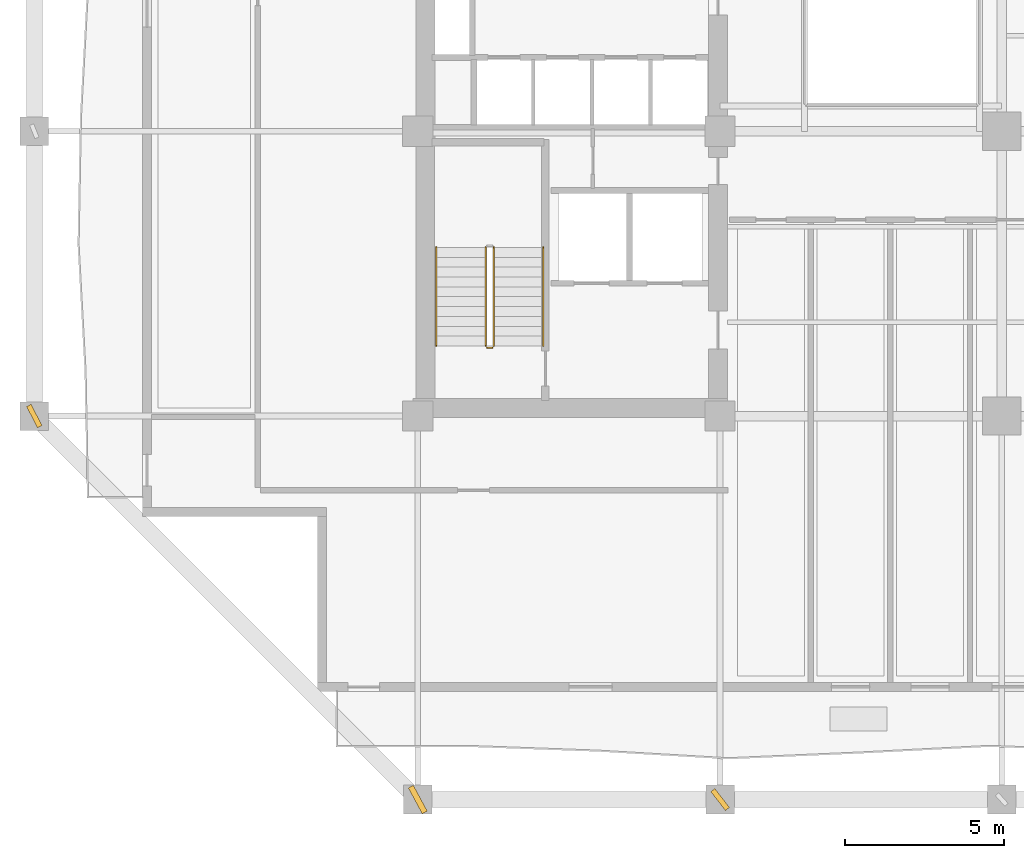
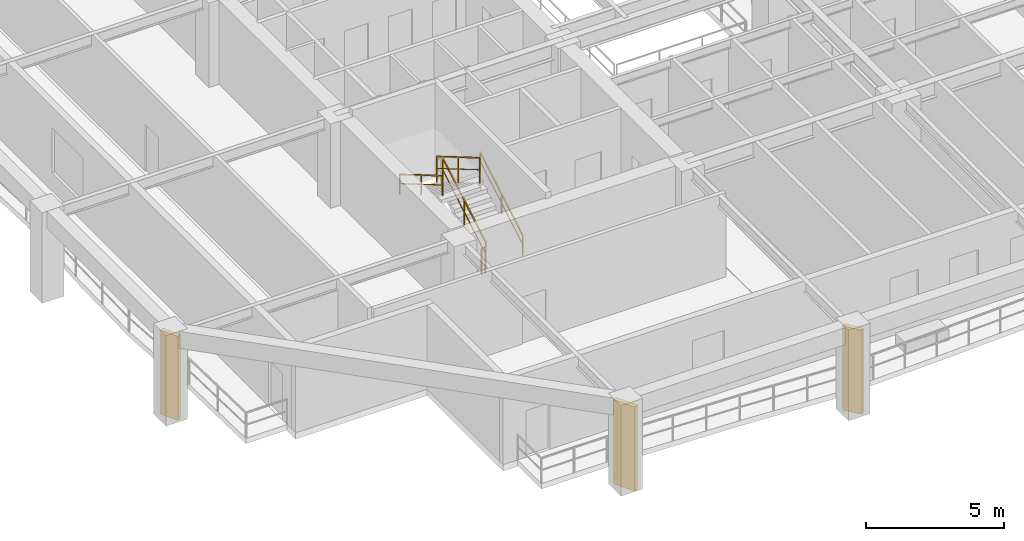
# One storey, part 7 of 13: 5 railings, 3 shading devices.
"""IFC4 building model written with IfcOpenShell, lengths in metres."""

from ifc_helpers import new_model, si_unit, direction, frame, origin, origin_2d, place, context, subcontext, project, spatial, rectangle, extrude, material, type_object, element, save


model = new_model("IFC4")

# Units and contexts
model_context = context("Model", 3, precision=1e-05, world=origin(), true_north=direction((0.0, 1.0)))
body_context = subcontext(model_context, "Body", "Model", "MODEL_VIEW")
ifc_project = project(units=[si_unit("LENGTHUNIT", "METRE"), si_unit("AREAUNIT", "SQUARE_METRE"), si_unit("VOLUMEUNIT", "CUBIC_METRE"), si_unit("PLANEANGLEUNIT", "RADIAN"), si_unit("MASSUNIT", "GRAM", prefix="KILO")], contexts=[model_context])

# Site, building, storey
site_placement = place(None, origin())
site = spatial("IfcSite", under=ifc_project, at=site_placement, CompositionType="ELEMENT")
building_placement = place(site_placement, origin())
building = spatial("IfcBuilding", under=site, at=building_placement, Name="Kundavana Baori Tower", CompositionType="ELEMENT")
storey_placement = place(building_placement, frame((0.0, 0.0, 62.0)))
storey = spatial("IfcBuildingStorey", under=building, at=storey_placement, Name="L14", CompositionType="ELEMENT", Elevation=62.0)

# Railings
ifc_material_1 = material(Name="Architectural Patinated Bronze Metalwork")
railing_type_1 = type_object("IfcRailingType", Name="RL-GRD-1150", PredefinedType="GUARDRAIL", material=ifc_material_1)
railing_1_placement = place(storey_placement, frame((17.840087890625, 17.449951171875, 0.181884765625)))
element("IfcRailing", 1, at=railing_1_placement, inside=storey, type_object=railing_type_1, Name="L14 ST1 stair guard 1", PredefinedType="GUARDRAIL", context=body_context, shape_type="SweptSolid", body=[
    extrude(rectangle(XDim=0.048095703125, YDim=0.048095703125, at=origin_2d()), frame((0.0, 0.0, 1.1259765625), z_axis=(0.0, 0.862598821094, 0.505888598258), x_axis=(-1.0, 0.0, 0.0)), (0.0, 0.0, 1.0), 3.593994140625),
    extrude(rectangle(XDim=0.03125, YDim=0.03125, at=origin_2d()), frame((0.0, 0.0, 0.597900390625), z_axis=(0.0, 0.862598821094, 0.505888598258), x_axis=(-1.0, 0.0, 0.0)), (0.0, 0.0, 1.0), 3.593994140625),
    extrude(rectangle(XDim=0.0419921875, YDim=0.0419921875, at=origin_2d()), origin(), (0.0, 0.0, 1.0), 1.101806640625),
    extrude(rectangle(XDim=0.0419921875, YDim=0.0419921875, at=origin_2d()), frame((0.0, 1.550048828125, 0.9091796875)), (0.0, 0.0, 1.0), 1.101806640625),
    extrude(rectangle(XDim=0.0419921875, YDim=0.0419921875, at=origin_2d()), frame((0.0, 3.10009765625, 1.818115234375)), (0.0, 0.0, 1.0), 1.101806640625),
])
railing_2_placement = place(storey_placement, frame((17.580078125, 20.550048828125, 2.181884765625)))
element("IfcRailing", 2, at=railing_2_placement, inside=storey, type_object=railing_type_1, Name="L14 ST1 stair guard 3", PredefinedType="GUARDRAIL", context=body_context, shape_type="SweptSolid", body=[
    extrude(rectangle(XDim=0.048095703125, YDim=0.048095703125, at=origin_2d()), frame((0.0, 0.0, 1.1259765625), z_axis=(0.0, -0.862598821094, 0.505888598258), x_axis=(1.0, 0.0, 0.0)), (0.0, 0.0, 1.0), 3.593994140625),
    extrude(rectangle(XDim=0.03125, YDim=0.03125, at=origin_2d()), frame((0.0, 0.0, 0.597900390625), z_axis=(0.0, -0.862598821094, 0.505888598258), x_axis=(1.0, 0.0, 0.0)), (0.0, 0.0, 1.0), 3.593994140625),
    extrude(rectangle(XDim=0.0419921875, YDim=0.0419921875, at=origin_2d()), origin(), (0.0, 0.0, 1.0), 1.101806640625),
    extrude(rectangle(XDim=0.0419921875, YDim=0.0419921875, at=origin_2d()), frame((0.0, -1.550048828125, 0.9091796875)), (0.0, 0.0, 1.0), 1.101806640625),
    extrude(rectangle(XDim=0.0419921875, YDim=0.0419921875, at=origin_2d()), frame((0.0, -3.10009765625, 1.818115234375)), (0.0, 0.0, 1.0), 1.101806640625),
])
railing_3_placement = place(storey_placement, frame((17.7900390625, 17.39990234375, 0.0)))
element("IfcRailing", 3, at=railing_3_placement, inside=storey, type_object=railing_type_1, Name="L14 ST1 stair guard 4", PredefinedType="GUARDRAIL", context=body_context, shape_type="SweptSolid", body=[
    extrude(rectangle(XDim=0.048095703125, YDim=0.048095703125, at=origin_2d()), frame((0.0, 0.0, 1.1259765625), z_axis=(-1.0, 0.0, 0.0), x_axis=(0.0, -1.0, 0.0)), (0.0, 0.0, 1.0), 0.16015625),
    extrude(rectangle(XDim=0.03125, YDim=0.03125, at=origin_2d()), frame((0.0, 0.0, 0.597900390625), z_axis=(-1.0, 0.0, 0.0), x_axis=(0.0, -1.0, 0.0)), (0.0, 0.0, 1.0), 0.16015625),
    extrude(rectangle(XDim=0.0419921875, YDim=0.0419921875, at=origin_2d()), origin(), (0.0, 0.0, 1.0), 1.101806640625),
    extrude(rectangle(XDim=0.0419921875, YDim=0.0419921875, at=origin_2d()), frame((-0.16015625, 0.0, 0.0)), (0.0, 0.0, 1.0), 1.101806640625),
])
ifc_material_2 = material(Name="Architectural Patinated Bronze Metalwork")
railing_type_2 = type_object("IfcRailingType", Name="RL-HND-920", PredefinedType="HANDRAIL", material=ifc_material_2)
railing_4_placement = place(storey_placement, frame((19.389892578125, 17.449951171875, 0.181884765625)))
element("IfcRailing", 4, at=railing_4_placement, inside=storey, type_object=railing_type_2, Name="L14 ST1 stair handrail 1", PredefinedType="HANDRAIL", context=body_context, shape_type="SweptSolid", body=[
    extrude(rectangle(XDim=0.048095703125, YDim=0.048095703125, at=origin_2d()), frame((0.0, 0.0, 0.8759765625), z_axis=(0.0, 0.862598821094, 0.505888598258), x_axis=(-1.0, 0.0, 0.0)), (0.0, 0.0, 1.0), 3.593994140625),
    extrude(rectangle(XDim=0.03125, YDim=0.03125, at=origin_2d()), frame((0.0, 0.0, 0.468017578125), z_axis=(0.0, 0.862598821094, 0.505888598258), x_axis=(-1.0, 0.0, 0.0)), (0.0, 0.0, 1.0), 3.593994140625),
    extrude(rectangle(XDim=0.0419921875, YDim=0.0419921875, at=origin_2d()), origin(), (0.0, 0.0, 1.0), 0.851806640625),
    extrude(rectangle(XDim=0.0419921875, YDim=0.0419921875, at=origin_2d()), frame((0.0, 1.550048828125, 0.9091796875)), (0.0, 0.0, 1.0), 0.851806640625),
    extrude(rectangle(XDim=0.0419921875, YDim=0.0419921875, at=origin_2d()), frame((0.0, 3.10009765625, 1.818115234375)), (0.0, 0.0, 1.0), 0.851806640625),
])
railing_5_placement = place(storey_placement, frame((16.030029296875, 20.550048828125, 2.181884765625)))
element("IfcRailing", 5, at=railing_5_placement, inside=storey, type_object=railing_type_2, Name="L14 ST1 stair handrail 2", PredefinedType="HANDRAIL", context=body_context, shape_type="SweptSolid", body=[
    extrude(rectangle(XDim=0.048095703125, YDim=0.048095703125, at=origin_2d()), frame((0.0, 0.0, 0.8759765625), z_axis=(0.0, -0.862598821094, 0.505888598258), x_axis=(1.0, 0.0, 0.0)), (0.0, 0.0, 1.0), 3.593994140625),
    extrude(rectangle(XDim=0.03125, YDim=0.03125, at=origin_2d()), frame((0.0, 0.0, 0.468017578125), z_axis=(0.0, -0.862598821094, 0.505888598258), x_axis=(1.0, 0.0, 0.0)), (0.0, 0.0, 1.0), 3.593994140625),
    extrude(rectangle(XDim=0.0419921875, YDim=0.0419921875, at=origin_2d()), origin(), (0.0, 0.0, 1.0), 0.851806640625),
    extrude(rectangle(XDim=0.0419921875, YDim=0.0419921875, at=origin_2d()), frame((0.0, -1.550048828125, 0.9091796875)), (0.0, 0.0, 1.0), 0.851806640625),
    extrude(rectangle(XDim=0.0419921875, YDim=0.0419921875, at=origin_2d()), frame((0.0, -3.10009765625, 1.818115234375)), (0.0, 0.0, 1.0), 0.851806640625),
])

# Shading devices
ifc_material_3 = material(Name="Red-Buff Dholpur Sandstone Cladding on Concrete C40/50", Category="masonry")
shading_device_type_1 = type_object("IfcShadingDeviceType", Name="SHD-FIN-750", PredefinedType="JALOUSIE", material=ifc_material_3)
for number, where, z_axis, x_axis, name in (
    (6, (24.949951171875, 3.199951171875, 0.0), (0.0, 0.0, 1.0), (0.790368909154, 0.612631200187, 0.0), "L14 Sweeping Dholpur Sandstone Facade Fin 2"),
    (7, (3.39990234375, 15.25, 0.0), (0.0, 0.0, 1.0), (0.887654691022, 0.460509662773, 0.0), "L14 Sweeping Dholpur Sandstone Facade Fin 5"),
):
    element("IfcShadingDevice", number, at=place(storey_placement, frame(where, z_axis=z_axis, x_axis=x_axis)), inside=storey, type_object=shading_device_type_1, Name=name, PredefinedType="JALOUSIE", context=body_context, shape_type="SweptSolid", body=[
        extrude(rectangle(XDim=0.159912109375, YDim=0.75, at=origin_2d()), origin(), (0.0, 0.0, 1.0), 3.719970703125),
    ])
ifc_material_4 = material(Name="Red-Buff Dholpur Sandstone Cladding on Concrete C40/50", Category="masonry")
shading_device_type_2 = type_object("IfcShadingDeviceType", Name="SHD-FIN-920", PredefinedType="JALOUSIE", material=ifc_material_4)
shading_device_placement = place(storey_placement, frame((15.449951171875, 3.199951171875, 0.0), z_axis=(0.0, 0.0, 1.0), x_axis=(0.880808114923, 0.473473404412, 0.0)))
element("IfcShadingDevice", 8, at=shading_device_placement, inside=storey, type_object=shading_device_type_2, Name="L14 Sweeping Dholpur Sandstone Facade Fin 1", PredefinedType="JALOUSIE", context=body_context, shape_type="SweptSolid", body=[
    extrude(rectangle(XDim=0.179931640625, YDim=0.919921875, at=origin_2d()), origin(), (0.0, 0.0, 1.0), 3.719970703125),
])

save(model, "model.ifc")
